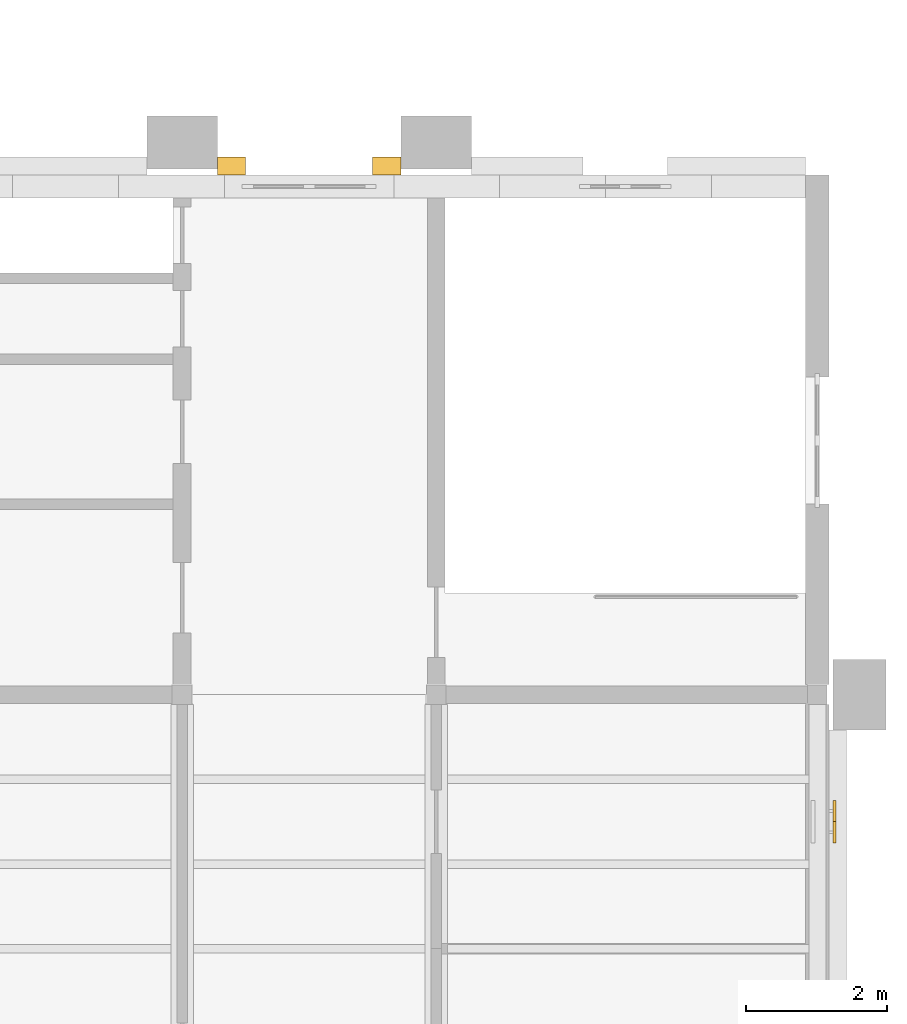
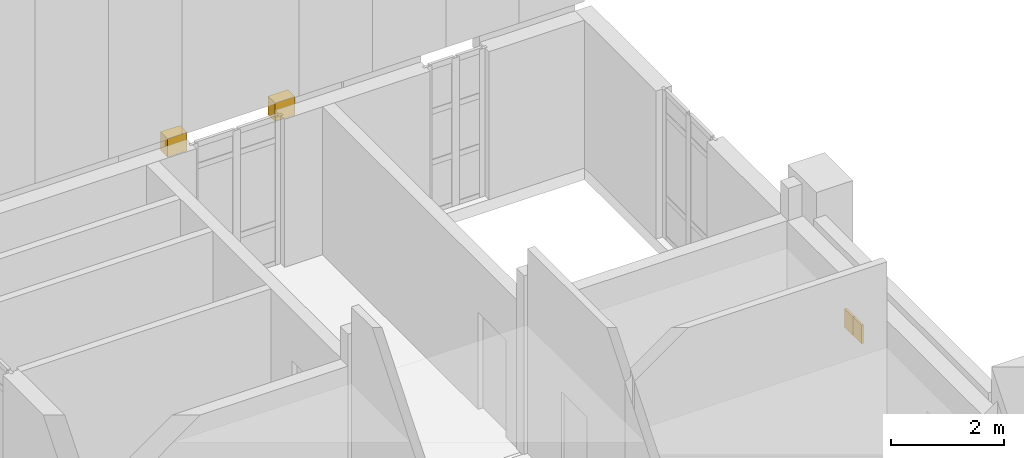
# One storey, part 71 of 71: 4 coverings.
"""IFC4 building model written with IfcOpenShell, lengths in metres."""

from ifc_helpers import new_model, si_unit, direction, frame, origin, origin_2d, place, context, subcontext, project, spatial, polyline, rectangle, outline, extrude, material, layer, layer_set, type_object, element, save


model = new_model("IFC4")

# Units and contexts
model_context = context("Model", 3, precision=1e-05, world=origin(), true_north=direction((0.0, 1.0)))
body_context = subcontext(model_context, "Body", "Model", "MODEL_VIEW")
ifc_project = project(units=[si_unit("LENGTHUNIT", "METRE"), si_unit("AREAUNIT", "SQUARE_METRE"), si_unit("VOLUMEUNIT", "CUBIC_METRE"), si_unit("PLANEANGLEUNIT", "RADIAN"), si_unit("MASSUNIT", "GRAM", prefix="KILO")], contexts=[model_context])

# Site, building, storey
site_placement = place(None, origin())
site = spatial("IfcSite", under=ifc_project, at=site_placement, CompositionType="ELEMENT")
building_placement = place(site_placement, origin())
building = spatial("IfcBuilding", under=site, at=building_placement, Name="Mazhai Court Health Centre", CompositionType="ELEMENT")
storey_placement = place(building_placement, frame((0.0, 0.0, 10.199951171875)))
storey = spatial("IfcBuildingStorey", under=building, at=storey_placement, Name="L02", CompositionType="ELEMENT", Elevation=10.199951171875)

# Coverings
ifc_material_1 = material(Name="Clay brick masonry", Category="masonry")
ifc_layer_1 = layer(ifc_material_1, 0.25)
ifc_layer_set_1 = layer_set([ifc_layer_1], Name="BRICK BAND 250")
covering_type_1 = type_object("IfcCoveringType", Name="BRICK BAND 250", PredefinedType="MOLDING", material=ifc_layer_set_1)
covering_1_placement = place(storey_placement, frame((0.0, 0.0, 2.949951171875)))
element("IfcCovering", 1, at=covering_1_placement, inside=storey, type_object=covering_type_1, Name="EB-V6-L02-Ep0-1", PredefinedType="MOLDING", context=body_context, shape_type="SweptSolid", body=[
    extrude(outline(polyline([(141.699951171875, 49.56494140625), (142.10009765625, 49.56494140625), (142.10009765625, 49.81494140625), (141.699951171875, 49.81494140625), (141.699951171875, 49.56494140625)])), origin(), (0.0, 0.0, 1.0), 0.400146484375),
])
covering_2_placement = place(storey_placement, frame((0.0, 0.0, 2.949951171875)))
element("IfcCovering", 2, at=covering_2_placement, inside=storey, type_object=covering_type_1, Name="EB-V6-L02-Ep1-0", PredefinedType="MOLDING", context=body_context, shape_type="SweptSolid", body=[
    extrude(outline(polyline([(143.89990234375, 49.56494140625), (144.300048828125, 49.56494140625), (144.300048828125, 49.81494140625), (143.89990234375, 49.81494140625), (143.89990234375, 49.56494140625)])), origin(), (0.0, 0.0, 1.0), 0.400146484375),
])
ifc_material_2 = material(Name="Aluminium louvre", Category="aluminium")
ifc_layer_2 = layer(ifc_material_2, 0.0400390625)
ifc_layer_set_2 = layer_set([ifc_layer_2], Name="SHUTTER LEAF 600x40")
covering_type_2 = type_object("IfcCoveringType", Name="SHUTTER LEAF 600x40", PredefinedType="CLADDING", material=ifc_layer_set_2)
for number, where, z_axis, x_axis, name in (
    (3, (150.445068359375, 40.25, 1.60009765625), (0.0, 0.0, 1.0), (0.0, 1.0, 0.0), "LV-V6-L02-B41a"),
    (4, (150.445068359375, 40.550048828125, 1.60009765625), (0.0, 0.0, 1.0), (0.0, 1.0, 0.0), "LV-V6-L02-B41b"),
):
    element("IfcCovering", number, at=place(storey_placement, frame(where, z_axis=z_axis, x_axis=x_axis)), inside=storey, type_object=covering_type_2, Name=name, PredefinedType="CLADDING", context=body_context, shape_type="SweptSolid", body=[
        extrude(rectangle(XDim=0.300048828125, YDim=0.0400390625, at=origin_2d()), origin(), (0.0, 0.0, 1.0), 0.39990234375),
    ])

save(model, "model.ifc")
